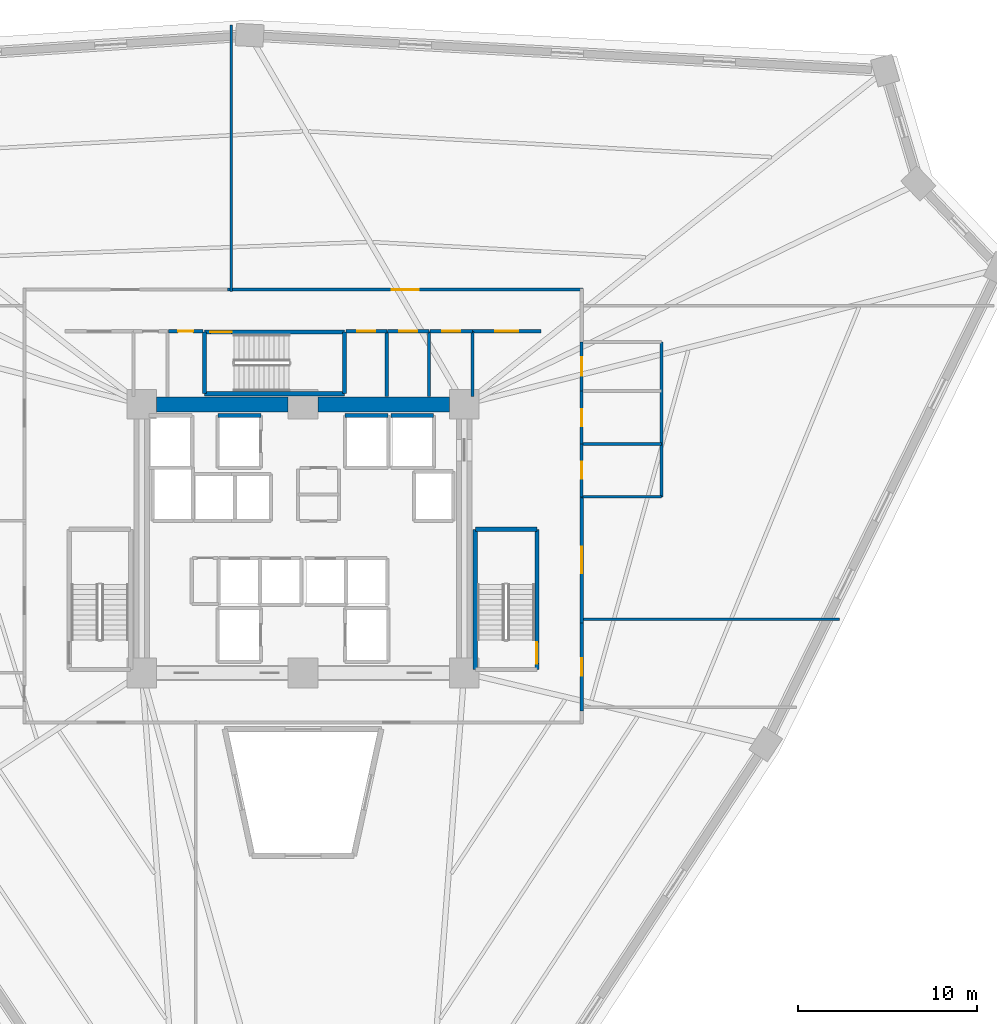
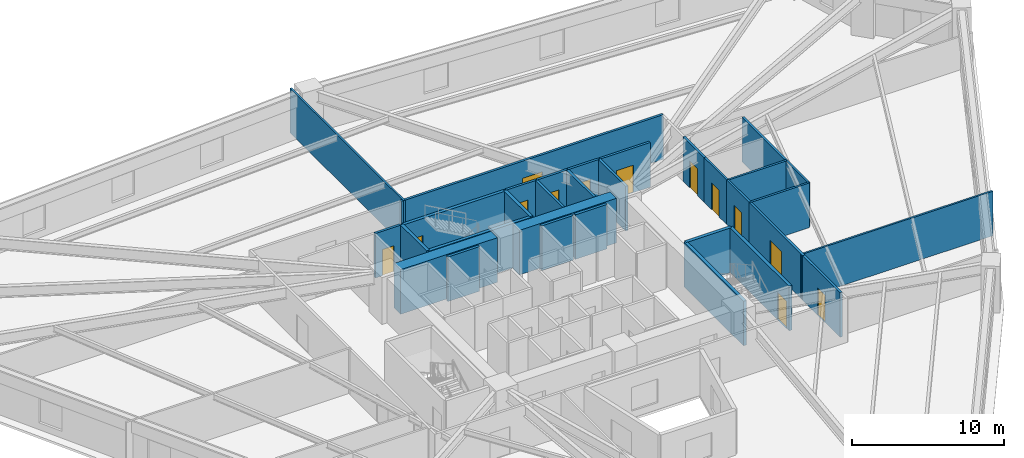
# One storey, part 6 of 8: 31 walls, 13 doors, 13 openings.
"""IFC4 building model written with IfcOpenShell, lengths in metres."""

from ifc_helpers import new_model, si_unit, direction, frame, frame_2d, origin, place, context, subcontext, project, spatial, rectangle, extrude, source, transform, mapped, material, layer, layer_set, type_object, element, fill, save


model = new_model("IFC4")

# Units and contexts
model_context = context("Model", 3, precision=1e-05, world=origin(), true_north=direction((0.0, 1.0)))
body_context = subcontext(model_context, "Body", "Model", "MODEL_VIEW")
ifc_project = project(units=[si_unit("LENGTHUNIT", "METRE"), si_unit("AREAUNIT", "SQUARE_METRE"), si_unit("VOLUMEUNIT", "CUBIC_METRE"), si_unit("PLANEANGLEUNIT", "RADIAN"), si_unit("MASSUNIT", "GRAM", prefix="KILO")], contexts=[model_context])

# Site, building, storey
site_placement = place(None, origin())
site = spatial("IfcSite", under=ifc_project, at=site_placement, CompositionType="ELEMENT")
building_placement = place(site_placement, origin())
building = spatial("IfcBuilding", under=site, at=building_placement, Name="Liaohun Quay Tower", CompositionType="ELEMENT")
storey_placement = place(building_placement, frame((0.0, 0.0, 39.75)))
storey = spatial("IfcBuildingStorey", under=building, at=storey_placement, Name="L10", CompositionType="ELEMENT", Elevation=39.75)

# Walls
ifc_material_1 = material(Name="Concrete C60", Category="concrete")
ifc_layer_1 = layer(ifc_material_1, 0.85009765625, Name="Concrete C60", Category="concrete")
ifc_layer_set_1 = layer_set([ifc_layer_1], Name="Concrete C60")
wall_type_1 = type_object("IfcWallType", Name="WAL-COR-Z1", PredefinedType="SHEAR", material=ifc_layer_set_1)
for number, where, z_axis, x_axis, name in (
    (1, (51.824951171875, 61.5, 0.0), (0.0, 0.0, 1.0), (1.0, 0.0, 0.0), "L10 Central Core Shear Wall N-W"),
    (2, (60.824951171875, 61.5, 0.0), (0.0, 0.0, 1.0), (1.0, 0.0, 0.0), "L10 Central Core Shear Wall N-E"),
):
    element("IfcWall", number, at=place(storey_placement, frame(where, z_axis=z_axis, x_axis=x_axis)), inside=storey, type_object=wall_type_1, Name=name, PredefinedType="SHEAR", context=body_context, shape_type="SweptSolid", body=[
        extrude(rectangle(XDim=7.35009765625, YDim=0.85009765625, at=frame_2d((3.675048828125, 0.0))), origin(), (0.0, 0.0, 1.0), 3.570068359375),
    ])

# Wall, opening, door
ifc_material_2 = material(Name="Autoclaved aerated concrete blockwork", Category="masonry")
ifc_layer_2 = layer(ifc_material_2, 0.179931640625, Name="Autoclaved aerated concrete blockwork", Category="masonry")
ifc_layer_set_2 = layer_set([ifc_layer_2], Name="Autoclaved aerated concrete blockwork")
wall_type_2 = type_object("IfcWallType", Name="WAL-PRT-COR", PredefinedType="PARTITIONING", material=ifc_layer_set_2)
wall_1_placement = place(storey_placement, frame((52.47998046875, 65.580078125, 0.0), z_axis=(0.0, 0.0, 1.0), x_axis=(1.0, 0.0, 0.0)))
wall_1 = element("IfcWall", 3, at=wall_1_placement, inside=storey, type_object=wall_type_2, Name="L10 Interior Partition Wall 008", PredefinedType="PARTITIONING", context=body_context, shape_type="SweptSolid", body=[
    extrude(rectangle(XDim=1.929931640625, YDim=0.179931640625, at=frame_2d((0.96484375, 0.0))), origin(), (0.0, 0.0, 1.0), 3.570068359375),
])
shared_shape_1 = source(origin(), body_context, "Body", "SweptSolid", [
    extrude(rectangle(XDim=0.85009765625, YDim=2.10009765625, at=frame_2d((0.425048828125, 1.050048828125))), frame((0.0, 0.099853515625, 0.0), z_axis=(0.0, -1.0, 0.0), x_axis=(1.0, 0.0, 0.0)), (0.0, 0.0, 1.0), 0.199951171875),
])
opening_1_placement = place(wall_1_placement, frame((0.5400390625, 0.0, 0.0)))
opening_1 = element("IfcOpeningElement", 4, at=opening_1_placement, cuts=wall_1, Name="Opening AD1", PredefinedType="OPENING", context=body_context, shape_type="MappedRepresentation", body=[
    mapped(shared_shape_1, transform((0.0, 0.0, 0.0), x_axis=(1.0, 0.0, 0.0), y_axis=(0.0, 1.0, 0.0), z_axis=(0.0, 0.0, 1.0), scale=1.0)),
])
ifc_material_3 = material(Name="Steel riser inspection fire door", Category="steel")
door_type_1 = type_object("IfcDoorType", Name="DOR-SHF-850", OperationType="NOTDEFINED", PredefinedType="DOOR", material=ifc_material_3)
shared_shape_2 = source(origin(), body_context, "Body", "SweptSolid", [
    extrude(rectangle(XDim=0.85009765625, YDim=2.10009765625, at=frame_2d((0.425048828125, 1.050048828125))), frame((0.0, 0.02490234375, 0.0), z_axis=(0.0, -1.0, 0.0), x_axis=(1.0, 0.0, 0.0)), (0.0, 0.0, 1.0), 0.050048828125),
])
door_1_placement = place(opening_1_placement, origin())
door_1 = element("IfcDoor", 5, at=door_1_placement, inside=storey, type_object=door_type_1, Name="L10 North-West Print Closet Door", OperationType="SINGLE_SWING_LEFT", OverallHeight=2.10009765625, OverallWidth=0.85009765625, PredefinedType="DOOR", context=body_context, shape_type="MappedRepresentation", body=[
    mapped(shared_shape_2, transform((0.0, 0.0, 0.0), x_axis=(1.0, 0.0, 0.0), y_axis=(0.0, 1.0, 0.0), z_axis=(0.0, 0.0, 1.0), scale=1.0)),
])
fill(opening_1, door_1)

wall_2_placement = place(storey_placement, frame((62.389892578125, 65.580078125, 0.0), z_axis=(0.0, 0.0, 1.0), x_axis=(1.0, 0.0, 0.0)))
wall_2 = element("IfcWall", 6, at=wall_2_placement, inside=storey, type_object=wall_type_2, Name="L10 Interior Partition Wall 009", PredefinedType="PARTITIONING", context=body_context, shape_type="SweptSolid", body=[
    extrude(rectangle(XDim=2.2900390625, YDim=0.179931640625, at=frame_2d((1.14501953125, 0.0))), origin(), (0.0, 0.0, 1.0), 3.570068359375),
])
shared_shape_3 = source(origin(), body_context, "Body", "SweptSolid", [
    extrude(rectangle(XDim=1.0, YDim=2.199951171875, at=frame_2d((0.5, 1.10009765625))), frame((0.0, 0.099853515625, 0.0), z_axis=(0.0, -1.0, 0.0), x_axis=(1.0, 0.0, 0.0)), (0.0, 0.0, 1.0), 0.199951171875),
])
opening_2_placement = place(wall_2_placement, frame((0.64501953125, 0.0, 0.0)))
opening_2 = element("IfcOpeningElement", 7, at=opening_2_placement, cuts=wall_2, Name="Opening OD1", PredefinedType="OPENING", context=body_context, shape_type="MappedRepresentation", body=[
    mapped(shared_shape_3, transform((0.0, 0.0, 0.0), x_axis=(1.0, 0.0, 0.0), y_axis=(0.0, 1.0, 0.0), z_axis=(0.0, 0.0, 1.0), scale=1.0)),
])
ifc_material_4 = material(Name="Solid-core oak veneer timber leaf in steel frame", Category="steel")
door_type_2 = type_object("IfcDoorType", Name="DOR-OFF-1000", OperationType="NOTDEFINED", PredefinedType="DOOR", material=ifc_material_4)
shared_shape_4 = source(origin(), body_context, "Body", "SweptSolid", [
    extrude(rectangle(XDim=1.0, YDim=2.199951171875, at=frame_2d((0.5, 1.10009765625))), frame((0.0, 0.02490234375, 0.0), z_axis=(0.0, -1.0, 0.0), x_axis=(1.0, 0.0, 0.0)), (0.0, 0.0, 1.0), 0.050048828125),
])
door_2_placement = place(opening_2_placement, origin())
door_2 = element("IfcDoor", 8, at=door_2_placement, inside=storey, type_object=door_type_2, Name="L10 North-East Mail Store Door", OperationType="SINGLE_SWING_RIGHT", OverallHeight=2.199951171875, OverallWidth=1.0, PredefinedType="DOOR", context=body_context, shape_type="MappedRepresentation", body=[
    mapped(shared_shape_4, transform((0.0, 0.0, 0.0), x_axis=(1.0, 0.0, 0.0), y_axis=(0.0, 1.0, 0.0), z_axis=(0.0, 0.0, 1.0), scale=1.0)),
])
fill(opening_2, door_2)

wall_3_placement = place(storey_placement, frame((64.719970703125, 65.580078125, 0.0), z_axis=(0.0, 0.0, 1.0), x_axis=(1.0, 0.0, 0.0)))
wall_3 = element("IfcWall", 9, at=wall_3_placement, inside=storey, type_object=wall_type_2, Name="L10 Interior Partition Wall 010", PredefinedType="PARTITIONING", context=body_context, shape_type="SweptSolid", body=[
    extrude(rectangle(XDim=2.320068359375, YDim=0.179931640625, at=frame_2d((1.16015625, 0.0))), origin(), (0.0, 0.0, 1.0), 3.570068359375),
])
opening_3_placement = place(wall_3_placement, frame((0.659912109375, 0.0, 0.0)))
opening_3 = element("IfcOpeningElement", 10, at=opening_3_placement, cuts=wall_3, Name="Opening OD1", PredefinedType="OPENING", context=body_context, shape_type="MappedRepresentation", body=[
    mapped(shared_shape_3, transform((0.0, 0.0, 0.0), x_axis=(1.0, 0.0, 0.0), y_axis=(0.0, 1.0, 0.0), z_axis=(0.0, 0.0, 1.0), scale=1.0)),
])
door_3_placement = place(opening_3_placement, origin())
door_3 = element("IfcDoor", 11, at=door_3_placement, inside=storey, type_object=door_type_2, Name="L10 North-East Comms Room Door", OperationType="SINGLE_SWING_LEFT", OverallHeight=2.199951171875, OverallWidth=1.0, PredefinedType="DOOR", context=body_context, shape_type="MappedRepresentation", body=[
    mapped(shared_shape_4, transform((0.0, 0.0, 0.0), x_axis=(1.0, 0.0, 0.0), y_axis=(0.0, 1.0, 0.0), z_axis=(0.0, 0.0, 1.0), scale=1.0)),
])
fill(opening_3, door_3)

wall_4_placement = place(storey_placement, frame((67.080078125, 65.580078125, 0.0), z_axis=(0.0, 0.0, 1.0), x_axis=(1.0, 0.0, 0.0)))
wall_4 = element("IfcWall", 12, at=wall_4_placement, inside=storey, type_object=wall_type_2, Name="L10 Interior Partition Wall 011", PredefinedType="PARTITIONING", context=body_context, shape_type="SweptSolid", body=[
    extrude(rectangle(XDim=2.3798828125, YDim=0.179931640625, at=frame_2d((1.18994140625, 0.0))), origin(), (0.0, 0.0, 1.0), 3.570068359375),
])
opening_4_placement = place(wall_4_placement, frame((0.68994140625, 0.0, 0.0)))
opening_4 = element("IfcOpeningElement", 13, at=opening_4_placement, cuts=wall_4, Name="Opening OD1", PredefinedType="OPENING", context=body_context, shape_type="MappedRepresentation", body=[
    mapped(shared_shape_3, transform((0.0, 0.0, 0.0), x_axis=(1.0, 0.0, 0.0), y_axis=(0.0, 1.0, 0.0), z_axis=(0.0, 0.0, 1.0), scale=1.0)),
])
door_4_placement = place(opening_4_placement, origin())
door_4 = element("IfcDoor", 14, at=door_4_placement, inside=storey, type_object=door_type_2, Name="L10 North-East Cleaner Store Door", OperationType="SINGLE_SWING_RIGHT", OverallHeight=2.199951171875, OverallWidth=1.0, PredefinedType="DOOR", context=body_context, shape_type="MappedRepresentation", body=[
    mapped(shared_shape_4, transform((0.0, 0.0, 0.0), x_axis=(1.0, 0.0, 0.0), y_axis=(0.0, 1.0, 0.0), z_axis=(0.0, 0.0, 1.0), scale=1.0)),
])
fill(opening_4, door_4)

wall_5_placement = place(storey_placement, frame((69.4599609375, 65.580078125, 0.0), z_axis=(0.0, 0.0, 1.0), x_axis=(1.0, 0.0, 0.0)))
wall_5 = element("IfcWall", 15, at=wall_5_placement, inside=storey, type_object=wall_type_2, Name="L10 Interior Partition Wall 013", PredefinedType="PARTITIONING", context=body_context, shape_type="SweptSolid", body=[
    extrude(rectangle(XDim=3.840087890625, YDim=0.179931640625, at=frame_2d((1.919921875, 0.0))), origin(), (0.0, 0.0, 1.0), 3.570068359375),
])
shared_shape_5 = source(origin(), body_context, "Body", "SweptSolid", [
    extrude(rectangle(XDim=1.300048828125, YDim=2.199951171875, at=frame_2d((0.64990234375, 1.10009765625))), frame((0.0, 0.099853515625, 0.0), z_axis=(0.0, -1.0, 0.0), x_axis=(1.0, 0.0, 0.0)), (0.0, 0.0, 1.0), 0.199951171875),
])
opening_5_placement = place(wall_5_placement, frame((1.27001953125, 0.0, 0.0)))
opening_5 = element("IfcOpeningElement", 16, at=opening_5_placement, cuts=wall_5, Name="Opening FD1", PredefinedType="OPENING", context=body_context, shape_type="MappedRepresentation", body=[
    mapped(shared_shape_5, transform((0.0, 0.0, 0.0), x_axis=(1.0, 0.0, 0.0), y_axis=(0.0, 1.0, 0.0), z_axis=(0.0, 0.0, 1.0), scale=1.0)),
])
ifc_material_5 = material(Name="Galvanised steel smokeproof fire door", Category="steel")
door_type_3 = type_object("IfcDoorType", Name="DOR-FFL-1300", OperationType="NOTDEFINED", PredefinedType="DOOR", material=ifc_material_5)
shared_shape_6 = source(origin(), body_context, "Body", "SweptSolid", [
    extrude(rectangle(XDim=1.300048828125, YDim=2.199951171875, at=frame_2d((0.64990234375, 1.10009765625))), frame((0.0, 0.02490234375, 0.0), z_axis=(0.0, -1.0, 0.0), x_axis=(1.0, 0.0, 0.0)), (0.0, 0.0, 1.0), 0.050048828125),
])
door_5_placement = place(opening_5_placement, origin())
door_5 = element("IfcDoor", 17, at=door_5_placement, inside=storey, type_object=door_type_3, Name="L10 East Core Vestibule Door", OperationType="SINGLE_SWING_RIGHT", OverallHeight=2.199951171875, OverallWidth=1.300048828125, PredefinedType="DOOR", context=body_context, shape_type="MappedRepresentation", body=[
    mapped(shared_shape_6, transform((0.0, 0.0, 0.0), x_axis=(1.0, 0.0, 0.0), y_axis=(0.0, 1.0, 0.0), z_axis=(0.0, 0.0, 1.0), scale=1.0)),
])
fill(opening_5, door_5)

wall_6_placement = place(storey_placement, frame((75.56005859375, 56.340087890625, 0.0), z_axis=(0.0, 0.0, 1.0), x_axis=(0.0, -1.0, 0.0)))
wall_6 = element("IfcWall", 18, at=wall_6_placement, inside=storey, type_object=wall_type_2, Name="L10 Interior Partition Wall 014", PredefinedType="PARTITIONING", context=body_context, shape_type="SweptSolid", body=[
    extrude(rectangle(XDim=7.05517578125, YDim=0.179931640625, at=frame_2d((3.527587890625, 0.0))), origin(), (0.0, 0.0, 1.0), 3.570068359375),
])
shared_shape_7 = source(origin(), body_context, "Body", "SweptSolid", [
    extrude(rectangle(XDim=1.5, YDim=2.199951171875, at=frame_2d((0.75, 1.10009765625))), frame((0.0, 0.099853515625, 0.0), z_axis=(0.0, -1.0, 0.0), x_axis=(1.0, 0.0, 0.0)), (0.0, 0.0, 1.0), 0.199951171875),
])
opening_6_placement = place(wall_6_placement, frame((2.778076171875, 0.0, 0.0)))
opening_6 = element("IfcOpeningElement", 19, at=opening_6_placement, cuts=wall_6, Name="Opening OD2", PredefinedType="OPENING", context=body_context, shape_type="MappedRepresentation", body=[
    mapped(shared_shape_7, transform((0.0, 0.0, 0.0), x_axis=(1.0, 0.0, 0.0), y_axis=(0.0, 1.0, 0.0), z_axis=(0.0, 0.0, 1.0), scale=1.0)),
])
ifc_material_6 = material(Name="Acoustic oak veneer double door")
door_type_4 = type_object("IfcDoorType", Name="DOR-OFF-1500", OperationType="DOUBLE_DOOR_SINGLE_SWING", PredefinedType="DOOR", material=ifc_material_6)
shared_shape_8 = source(origin(), body_context, "Body", "SweptSolid", [
    extrude(rectangle(XDim=1.5, YDim=2.199951171875, at=frame_2d((0.75, 1.10009765625))), frame((0.0, 0.02490234375, 0.0), z_axis=(0.0, -1.0, 0.0), x_axis=(1.0, 0.0, 0.0)), (0.0, 0.0, 1.0), 0.050048828125),
])
door_6_placement = place(opening_6_placement, origin())
door_6 = element("IfcDoor", 20, at=door_6_placement, inside=storey, type_object=door_type_4, Name="L10 Architectural Design Studio 01 Door", OperationType="DOUBLE_DOOR_SINGLE_SWING", OverallHeight=2.199951171875, OverallWidth=1.5, PredefinedType="DOOR", context=body_context, shape_type="MappedRepresentation", body=[
    mapped(shared_shape_8, transform((0.0, 0.0, 0.0), x_axis=(1.0, 0.0, 0.0), y_axis=(0.0, 1.0, 0.0), z_axis=(0.0, 0.0, 1.0), scale=1.0)),
])
fill(opening_6, door_6)

wall_7_placement = place(storey_placement, frame((55.784912109375, 67.909912109375, 0.0), z_axis=(0.0, 0.0, 1.0), x_axis=(1.0, 0.0, 0.0)))
wall_7 = element("IfcWall", 21, at=wall_7_placement, inside=storey, type_object=wall_type_2, Name="L10 Interior Partition Wall 015", PredefinedType="PARTITIONING", context=body_context, shape_type="SweptSolid", body=[
    extrude(rectangle(XDim=19.844970703125, YDim=0.179931640625, at=frame_2d((9.92236328125, 0.0))), origin(), (0.0, 0.0, 1.0), 3.570068359375),
])
opening_7_placement = place(wall_7_placement, frame((9.172119140625, 0.0, 0.0)))
opening_7 = element("IfcOpeningElement", 22, at=opening_7_placement, cuts=wall_7, Name="Opening OD2", PredefinedType="OPENING", context=body_context, shape_type="MappedRepresentation", body=[
    mapped(shared_shape_7, transform((0.0, 0.0, 0.0), x_axis=(1.0, 0.0, 0.0), y_axis=(0.0, 1.0, 0.0), z_axis=(0.0, 0.0, 1.0), scale=1.0)),
])
door_7_placement = place(opening_7_placement, origin())
door_7 = element("IfcDoor", 23, at=door_7_placement, inside=storey, type_object=door_type_4, Name="L10 Staff Daycare Nursery 02 Door", OperationType="DOUBLE_DOOR_SINGLE_SWING", OverallHeight=2.199951171875, OverallWidth=1.5, PredefinedType="DOOR", context=body_context, shape_type="MappedRepresentation", body=[
    mapped(shared_shape_8, transform((0.0, 0.0, 0.0), x_axis=(1.0, 0.0, 0.0), y_axis=(0.0, 1.0, 0.0), z_axis=(0.0, 0.0, 1.0), scale=1.0)),
])
fill(opening_7, door_7)

wall_8_placement = place(storey_placement, frame((75.56005859375, 49.284912109375, 0.0), z_axis=(0.0, 0.0, 1.0), x_axis=(0.0, -1.0, 0.0)))
wall_8 = element("IfcWall", 24, at=wall_8_placement, inside=storey, type_object=wall_type_2, Name="L10 Interior Partition Wall 022", PredefinedType="PARTITIONING", context=body_context, shape_type="SweptSolid", body=[
    extrude(rectangle(XDim=4.89990234375, YDim=0.179931640625, at=frame_2d((2.449951171875, 0.0))), origin(), (0.0, 0.0, 1.0), 3.570068359375),
])
opening_8_placement = place(wall_8_placement, frame((1.949951171875, 0.0, 0.0)))
opening_8 = element("IfcOpeningElement", 25, at=opening_8_placement, cuts=wall_8, Name="Opening OD1", PredefinedType="OPENING", context=body_context, shape_type="MappedRepresentation", body=[
    mapped(shared_shape_3, transform((0.0, 0.0, 0.0), x_axis=(1.0, 0.0, 0.0), y_axis=(0.0, 1.0, 0.0), z_axis=(0.0, 0.0, 1.0), scale=1.0)),
])
door_8_placement = place(opening_8_placement, origin())
door_8 = element("IfcDoor", 26, at=door_8_placement, inside=storey, type_object=door_type_2, Name="L10 Records Archive Store 09 Door", OperationType="SINGLE_SWING_LEFT", OverallHeight=2.199951171875, OverallWidth=1.0, PredefinedType="DOOR", context=body_context, shape_type="MappedRepresentation", body=[
    mapped(shared_shape_4, transform((0.0, 0.0, 0.0), x_axis=(1.0, 0.0, 0.0), y_axis=(0.0, 1.0, 0.0), z_axis=(0.0, 0.0, 1.0), scale=1.0)),
])
fill(opening_8, door_8)

# Walls
for number, where, z_axis, x_axis, name in (
    (27, (64.679931640625, 61.949951171875, 0.0), (0.0, 0.0, 1.0), (0.0, 1.0, 0.0), "L10 Interior Partition Wall 035"),
    (28, (67.0400390625, 61.949951171875, 0.0), (0.0, 0.0, 1.0), (0.0, 1.0, 0.0), "L10 Interior Partition Wall 036"),
    (29, (69.4599609375, 61.949951171875, 0.0), (0.0, 0.0, 1.0), (0.0, 1.0, 0.0), "L10 Interior Partition Wall 037"),
):
    element("IfcWall", number, at=place(storey_placement, frame(where, z_axis=z_axis, x_axis=x_axis)), inside=storey, type_object=wall_type_2, Name=name, PredefinedType="PARTITIONING", context=body_context, shape_type="SweptSolid", body=[
        extrude(rectangle(XDim=3.630126953125, YDim=0.179931640625, at=frame_2d((1.81494140625, 0.0))), origin(), (0.0, 0.0, 1.0), 3.570068359375),
    ])
ifc_material_7 = material(Name="Gypsum board on twin steel studs", Category="steel")
ifc_layer_3 = layer(ifc_material_7, 0.139892578125, Name="Gypsum board on twin steel studs", Category="steel")
ifc_layer_set_3 = layer_set([ifc_layer_3], Name="Gypsum board on twin steel studs")
wall_type_3 = type_object("IfcWallType", Name="WAL-PRT-OFF", PredefinedType="PARTITIONING", material=ifc_layer_set_3)
wall_9_placement = place(storey_placement, frame((75.4599609375, 49.5, 0.0), z_axis=(0.0, 0.0, 1.0), x_axis=(1.0, 0.0, 0.0)))
element("IfcWall", 30, at=wall_9_placement, inside=storey, type_object=wall_type_3, Name="L10 Interior Partition Wall 048", PredefinedType="PARTITIONING", context=body_context, shape_type="SweptSolid", body=[
    extrude(rectangle(XDim=14.508056640625, YDim=0.139892578125, at=frame_2d((7.25390625, 0.0))), origin(), (0.0, 0.0, 1.0), 3.570068359375),
])
wall_10_placement = place(storey_placement, frame((56.0, 67.81005859375, 0.0), z_axis=(0.0, 0.0, 1.0), x_axis=(0.0, 1.0, 0.0)))
element("IfcWall", 31, at=wall_10_placement, inside=storey, type_object=wall_type_3, Name="L10 Interior Partition Wall 050", PredefinedType="PARTITIONING", context=body_context, shape_type="SweptSolid", body=[
    extrude(rectangle(XDim=14.864990234375, YDim=0.139892578125, at=frame_2d((7.4326171875, 0.0))), origin(), (0.0, 0.0, 1.0), 3.570068359375),
])

# Wall, opening, door
ifc_material_8 = material(Name="Moisture-resistant masonry blockwork", Category="masonry")
ifc_layer_4 = layer(ifc_material_8, 0.159912109375, Name="Moisture-resistant masonry blockwork", Category="masonry")
ifc_layer_set_4 = layer_set([ifc_layer_4], Name="Moisture-resistant masonry blockwork")
wall_type_4 = type_object("IfcWallType", Name="WAL-PRT-WET", PredefinedType="PARTITIONING", material=ifc_layer_set_4)
wall_11_placement = place(storey_placement, frame((75.56005859375, 56.340087890625, 0.0), z_axis=(0.0, 0.0, 1.0), x_axis=(0.0, 1.0, 0.0)))
wall_11 = element("IfcWall", 32, at=wall_11_placement, inside=storey, type_object=wall_type_4, Name="L10 Interior Partition Wall 004", PredefinedType="PARTITIONING", context=body_context, shape_type="SweptSolid", body=[
    extrude(rectangle(XDim=2.93994140625, YDim=0.159912109375, at=frame_2d((1.469970703125, 0.0))), origin(), (0.0, 0.0, 1.0), 3.570068359375),
])
shared_shape_9 = source(origin(), body_context, "Body", "SweptSolid", [
    extrude(rectangle(XDim=0.949951171875, YDim=2.14990234375, at=frame_2d((0.47509765625, 1.074951171875))), frame((0.0, 0.08984375, 0.0), z_axis=(0.0, -1.0, 0.0), x_axis=(1.0, 0.0, 0.0)), (0.0, 0.0, 1.0), 0.179931640625),
])
opening_9_placement = place(wall_11_placement, frame((0.9951171875, 0.0, 0.0)))
opening_9 = element("IfcOpeningElement", 33, at=opening_9_placement, cuts=wall_11, Name="Opening WD1", PredefinedType="OPENING", context=body_context, shape_type="MappedRepresentation", body=[
    mapped(shared_shape_9, transform((0.0, 0.0, 0.0), x_axis=(1.0, 0.0, 0.0), y_axis=(0.0, 1.0, 0.0), z_axis=(0.0, 0.0, 1.0), scale=1.0)),
])
ifc_material_9 = material(Name="Moisture-resistant laminate timber leaf", Category="wood")
door_type_5 = type_object("IfcDoorType", Name="DOR-WC-950", OperationType="NOTDEFINED", PredefinedType="DOOR", material=ifc_material_9)
shared_shape_10 = source(origin(), body_context, "Body", "SweptSolid", [
    extrude(rectangle(XDim=0.949951171875, YDim=2.14990234375, at=frame_2d((0.47509765625, 1.074951171875))), frame((0.0, 0.02490234375, 0.0), z_axis=(0.0, -1.0, 0.0), x_axis=(1.0, 0.0, 0.0)), (0.0, 0.0, 1.0), 0.050048828125),
])
door_9_placement = place(opening_9_placement, origin())
door_9 = element("IfcDoor", 34, at=door_9_placement, inside=storey, type_object=door_type_5, Name="L10 Male Restroom WC Door", OperationType="SINGLE_SWING_LEFT", OverallHeight=2.14990234375, OverallWidth=0.949951171875, PredefinedType="DOOR", context=body_context, shape_type="MappedRepresentation", body=[
    mapped(shared_shape_10, transform((0.0, 0.0, 0.0), x_axis=(1.0, 0.0, 0.0), y_axis=(0.0, 1.0, 0.0), z_axis=(0.0, 0.0, 1.0), scale=1.0)),
])
fill(opening_9, door_9)

wall_12_placement = place(storey_placement, frame((75.56005859375, 59.280029296875, 0.0), z_axis=(0.0, 0.0, 1.0), x_axis=(0.0, 1.0, 0.0)))
wall_12 = element("IfcWall", 35, at=wall_12_placement, inside=storey, type_object=wall_type_4, Name="L10 Interior Partition Wall 005", PredefinedType="PARTITIONING", context=body_context, shape_type="SweptSolid", body=[
    extrude(rectangle(XDim=2.9599609375, YDim=0.159912109375, at=frame_2d((1.47998046875, 0.0))), origin(), (0.0, 0.0, 1.0), 3.570068359375),
])
opening_10_placement = place(wall_12_placement, frame((1.0048828125, 0.0, 0.0)))
opening_10 = element("IfcOpeningElement", 36, at=opening_10_placement, cuts=wall_12, Name="Opening WD1", PredefinedType="OPENING", context=body_context, shape_type="MappedRepresentation", body=[
    mapped(shared_shape_9, transform((0.0, 0.0, 0.0), x_axis=(1.0, 0.0, 0.0), y_axis=(0.0, 1.0, 0.0), z_axis=(0.0, 0.0, 1.0), scale=1.0)),
])
door_10_placement = place(opening_10_placement, origin())
door_10 = element("IfcDoor", 37, at=door_10_placement, inside=storey, type_object=door_type_5, Name="L10 Female Restroom WC Door", OperationType="SINGLE_SWING_RIGHT", OverallHeight=2.14990234375, OverallWidth=0.949951171875, PredefinedType="DOOR", context=body_context, shape_type="MappedRepresentation", body=[
    mapped(shared_shape_10, transform((0.0, 0.0, 0.0), x_axis=(1.0, 0.0, 0.0), y_axis=(0.0, 1.0, 0.0), z_axis=(0.0, 0.0, 1.0), scale=1.0)),
])
fill(opening_10, door_10)

wall_13_placement = place(storey_placement, frame((75.56005859375, 62.239990234375, 0.0), z_axis=(0.0, 0.0, 1.0), x_axis=(0.0, 1.0, 0.0)))
wall_13 = element("IfcWall", 38, at=wall_13_placement, inside=storey, type_object=wall_type_4, Name="L10 Interior Partition Wall 006", PredefinedType="PARTITIONING", context=body_context, shape_type="SweptSolid", body=[
    extrude(rectangle(XDim=2.739990234375, YDim=0.159912109375, at=frame_2d((1.3701171875, 0.0))), origin(), (0.0, 0.0, 1.0), 3.570068359375),
])
shared_shape_11 = source(origin(), body_context, "Body", "SweptSolid", [
    extrude(rectangle(XDim=1.050048828125, YDim=2.14990234375, at=frame_2d((0.52490234375, 1.074951171875))), frame((0.0, 0.08984375, 0.0), z_axis=(0.0, -1.0, 0.0), x_axis=(1.0, 0.0, 0.0)), (0.0, 0.0, 1.0), 0.179931640625),
])
opening_11_placement = place(wall_13_placement, frame((0.844970703125, 0.0, 0.0)))
opening_11 = element("IfcOpeningElement", 39, at=opening_11_placement, cuts=wall_13, Name="Opening WD2", PredefinedType="OPENING", context=body_context, shape_type="MappedRepresentation", body=[
    mapped(shared_shape_11, transform((0.0, 0.0, 0.0), x_axis=(1.0, 0.0, 0.0), y_axis=(0.0, 1.0, 0.0), z_axis=(0.0, 0.0, 1.0), scale=1.0)),
])
ifc_material_10 = material(Name="Accessible outward-swinging laminate door")
door_type_6 = type_object("IfcDoorType", Name="DOR-AWC-1050", OperationType="NOTDEFINED", PredefinedType="DOOR", material=ifc_material_10)
shared_shape_12 = source(origin(), body_context, "Body", "SweptSolid", [
    extrude(rectangle(XDim=1.050048828125, YDim=2.14990234375, at=frame_2d((0.52490234375, 1.074951171875))), frame((0.0, 0.02490234375, 0.0), z_axis=(0.0, -1.0, 0.0), x_axis=(1.0, 0.0, 0.0)), (0.0, 0.0, 1.0), 0.050048828125),
])
door_11_placement = place(opening_11_placement, origin())
door_11 = element("IfcDoor", 40, at=door_11_placement, inside=storey, type_object=door_type_6, Name="L10 Accessible WC Door", OperationType="SINGLE_SWING_LEFT", OverallHeight=2.14990234375, OverallWidth=1.050048828125, PredefinedType="DOOR", context=body_context, shape_type="MappedRepresentation", body=[
    mapped(shared_shape_12, transform((0.0, 0.0, 0.0), x_axis=(1.0, 0.0, 0.0), y_axis=(0.0, 1.0, 0.0), z_axis=(0.0, 0.0, 1.0), scale=1.0)),
])
fill(opening_11, door_11)

# Walls
wall_14_placement = place(storey_placement, frame((80.02001953125, 56.340087890625, 0.0), z_axis=(0.0, 0.0, 1.0), x_axis=(0.0, 1.0, 0.0)))
element("IfcWall", 41, at=wall_14_placement, inside=storey, type_object=wall_type_4, Name="L10 Interior Partition Wall 028", PredefinedType="PARTITIONING", context=body_context, shape_type="SweptSolid", body=[
    extrude(rectangle(XDim=8.639892578125, YDim=0.159912109375, at=frame_2d((4.31982421875, 0.0))), origin(), (0.0, 0.0, 1.0), 3.570068359375),
])
for number, where, z_axis, x_axis, name in (
    (42, (75.56005859375, 56.340087890625, 0.0), (0.0, 0.0, 1.0), (1.0, 0.0, 0.0), "L10 Interior Partition Wall 029"),
    (43, (75.56005859375, 59.280029296875, 0.0), (0.0, 0.0, 1.0), (1.0, 0.0, 0.0), "L10 Interior Partition Wall 030"),
):
    element("IfcWall", number, at=place(storey_placement, frame(where, z_axis=z_axis, x_axis=x_axis)), inside=storey, type_object=wall_type_4, Name=name, PredefinedType="PARTITIONING", context=body_context, shape_type="SweptSolid", body=[
        extrude(rectangle(XDim=4.4599609375, YDim=0.159912109375, at=frame_2d((2.22998046875, 0.0))), origin(), (0.0, 0.0, 1.0), 3.570068359375),
    ])

# Wall, opening, door
ifc_material_11 = material(Name="Concrete C50", Category="concrete")
ifc_layer_5 = layer(ifc_material_11, 0.239990234375, Name="Concrete C50", Category="concrete")
ifc_layer_set_5 = layer_set([ifc_layer_5], Name="Concrete C50")
wall_type_5 = type_object("IfcWallType", Name="WAL-SHF-200", PredefinedType="SOLIDWALL", material=ifc_layer_set_5)
wall_15_placement = place(storey_placement, frame((73.06005859375, 46.699951171875, 0.0), z_axis=(0.0, 0.0, 1.0), x_axis=(0.0, 1.0, 0.0)))
wall_15 = element("IfcWall", 44, at=wall_15_placement, inside=storey, type_object=wall_type_5, Name="L10 Stairwell ST-2 Structural Core Wall E", PredefinedType="SOLIDWALL", context=body_context, shape_type="SweptSolid", body=[
    extrude(rectangle(XDim=7.820068359375, YDim=0.239990234375, at=frame_2d((3.91015625, 0.0))), origin(), (0.0, 0.0, 1.0), 3.570068359375),
])
shared_shape_13 = source(origin(), body_context, "Body", "SweptSolid", [
    extrude(rectangle(XDim=1.199951171875, YDim=2.199951171875, at=frame_2d((0.60009765625, 1.10009765625))), frame((0.0, 0.1298828125, 0.0), z_axis=(0.0, -1.0, 0.0), x_axis=(1.0, 0.0, 0.0)), (0.0, 0.0, 1.0), 0.260009765625),
])
opening_12_placement = place(wall_15_placement, frame((0.320068359375, 0.0, 0.0)))
opening_12 = element("IfcOpeningElement", 45, at=opening_12_placement, cuts=wall_15, Name="Opening SD1", PredefinedType="OPENING", context=body_context, shape_type="MappedRepresentation", body=[
    mapped(shared_shape_13, transform((0.0, 0.0, 0.0), x_axis=(1.0, 0.0, 0.0), y_axis=(0.0, 1.0, 0.0), z_axis=(0.0, 0.0, 1.0), scale=1.0)),
])
ifc_material_12 = material(Name="Galvanised steel fire door", Category="steel")
door_type_7 = type_object("IfcDoorType", Name="DOR-STR-1200", OperationType="NOTDEFINED", PredefinedType="DOOR", material=ifc_material_12)
shared_shape_14 = source(origin(), body_context, "Body", "SweptSolid", [
    extrude(rectangle(XDim=1.199951171875, YDim=2.199951171875, at=frame_2d((0.60009765625, 1.10009765625))), frame((0.0, 0.02490234375, 0.0), z_axis=(0.0, -1.0, 0.0), x_axis=(1.0, 0.0, 0.0)), (0.0, 0.0, 1.0), 0.050048828125),
])
door_12_placement = place(opening_12_placement, origin())
door_12 = element("IfcDoor", 46, at=door_12_placement, inside=storey, type_object=door_type_7, Name="L10 Protected Stair ST-2 Fire Door", OperationType="SINGLE_SWING_RIGHT", OverallHeight=2.199951171875, OverallWidth=1.199951171875, PredefinedType="DOOR", context=body_context, shape_type="MappedRepresentation", body=[
    mapped(shared_shape_14, transform((0.0, 0.0, 0.0), x_axis=(1.0, 0.0, 0.0), y_axis=(0.0, 1.0, 0.0), z_axis=(0.0, 0.0, 1.0), scale=1.0)),
])
fill(opening_12, door_12)

# Walls
wall_16_placement = place(storey_placement, frame((73.06005859375, 54.52001953125, 0.0), z_axis=(0.0, 0.0, 1.0), x_axis=(-1.0, 0.0, 0.0)))
element("IfcWall", 47, at=wall_16_placement, inside=storey, type_object=wall_type_5, Name="L10 Stairwell ST-2 Structural Core Wall N", PredefinedType="SOLIDWALL", context=body_context, shape_type="SweptSolid", body=[
    extrude(rectangle(XDim=3.43994140625, YDim=0.239990234375, at=frame_2d((1.719970703125, 0.0))), origin(), (0.0, 0.0, 1.0), 3.570068359375),
])
for number, where, z_axis, x_axis, name in (
    (48, (69.6201171875, 54.52001953125, 0.0), (0.0, 0.0, 1.0), (0.0, -1.0, 0.0), "L10 Stairwell ST-2 Structural Core Wall W"),
    (49, (54.5, 62.10009765625, 0.0), (0.0, 0.0, 1.0), (1.0, 0.0, 0.0), "L10 Stairwell ST-3 Structural Core Wall S"),
):
    element("IfcWall", number, at=place(storey_placement, frame(where, z_axis=z_axis, x_axis=x_axis)), inside=storey, type_object=wall_type_5, Name=name, PredefinedType="SOLIDWALL", context=body_context, shape_type="SweptSolid", body=[
        extrude(rectangle(XDim=7.820068359375, YDim=0.239990234375, at=frame_2d((3.91015625, 0.0))), origin(), (0.0, 0.0, 1.0), 3.570068359375),
    ])
wall_17_placement = place(storey_placement, frame((62.320068359375, 62.10009765625, 0.0), z_axis=(0.0, 0.0, 1.0), x_axis=(0.0, 1.0, 0.0)))
element("IfcWall", 50, at=wall_17_placement, inside=storey, type_object=wall_type_5, Name="L10 Stairwell ST-3 Structural Core Wall E", PredefinedType="SOLIDWALL", context=body_context, shape_type="SweptSolid", body=[
    extrude(rectangle(XDim=3.43994140625, YDim=0.239990234375, at=frame_2d((1.719970703125, 0.0))), origin(), (0.0, 0.0, 1.0), 3.570068359375),
])

# Wall, opening, door
wall_18_placement = place(storey_placement, frame((62.320068359375, 65.5400390625, 0.0), z_axis=(0.0, 0.0, 1.0), x_axis=(-1.0, 0.0, 0.0)))
wall_18 = element("IfcWall", 51, at=wall_18_placement, inside=storey, type_object=wall_type_5, Name="L10 Stairwell ST-3 Structural Core Wall N", PredefinedType="SOLIDWALL", context=body_context, shape_type="SweptSolid", body=[
    extrude(rectangle(XDim=7.820068359375, YDim=0.239990234375, at=frame_2d((3.91015625, 0.0))), origin(), (0.0, 0.0, 1.0), 3.570068359375),
])
opening_13_placement = place(wall_18_placement, frame((6.300048828125, 0.0, 0.0)))
opening_13 = element("IfcOpeningElement", 52, at=opening_13_placement, cuts=wall_18, Name="Opening SD1", PredefinedType="OPENING", context=body_context, shape_type="MappedRepresentation", body=[
    mapped(shared_shape_13, transform((0.0, 0.0, 0.0), x_axis=(1.0, 0.0, 0.0), y_axis=(0.0, 1.0, 0.0), z_axis=(0.0, 0.0, 1.0), scale=1.0)),
])
door_13_placement = place(opening_13_placement, origin())
door_13 = element("IfcDoor", 53, at=door_13_placement, inside=storey, type_object=door_type_7, Name="L10 Protected Stair ST-3 Fire Door", OperationType="SINGLE_SWING_RIGHT", OverallHeight=2.199951171875, OverallWidth=1.199951171875, PredefinedType="DOOR", context=body_context, shape_type="MappedRepresentation", body=[
    mapped(shared_shape_14, transform((0.0, 0.0, 0.0), x_axis=(1.0, 0.0, 0.0), y_axis=(0.0, 1.0, 0.0), z_axis=(0.0, 0.0, 1.0), scale=1.0)),
])
fill(opening_13, door_13)

# Walls
wall_19_placement = place(storey_placement, frame((54.5, 65.5400390625, 0.0), z_axis=(0.0, 0.0, 1.0), x_axis=(0.0, -1.0, 0.0)))
element("IfcWall", 54, at=wall_19_placement, inside=storey, type_object=wall_type_5, Name="L10 Stairwell ST-3 Structural Core Wall W", PredefinedType="SOLIDWALL", context=body_context, shape_type="SweptSolid", body=[
    extrude(rectangle(XDim=3.43994140625, YDim=0.239990234375, at=frame_2d((1.719970703125, 0.0))), origin(), (0.0, 0.0, 1.0), 3.570068359375),
])
for number, where, z_axis, x_axis, name in (
    (55, (57.64990234375, 60.8798828125, 0.0), (0.0, 0.0, 1.0), (-1.0, 0.0, 0.0), "L10 Lift FF-03 Hoistway Wall N"),
    (56, (64.75, 60.8798828125, 0.0), (0.0, 0.0, 1.0), (-1.0, 0.0, 0.0), "L10 Lift OB-01 Hoistway Wall N"),
):
    element("IfcWall", number, at=place(storey_placement, frame(where, z_axis=z_axis, x_axis=x_axis)), inside=storey, type_object=wall_type_5, Name=name, PredefinedType="SOLIDWALL", context=body_context, shape_type="SweptSolid", body=[
        extrude(rectangle(XDim=2.39990234375, YDim=0.199951171875, at=frame_2d((1.199951171875, 0.0))), origin(), (0.0, 0.0, 1.0), 3.570068359375),
    ])
wall_20_placement = place(storey_placement, frame((67.300048828125, 60.8798828125, 0.0), z_axis=(0.0, 0.0, 1.0), x_axis=(-1.0, 0.0, 0.0)))
element("IfcWall", 57, at=wall_20_placement, inside=storey, type_object=wall_type_5, Name="L10 Lift OB-02 Hoistway Wall N", PredefinedType="SOLIDWALL", context=body_context, shape_type="SweptSolid", body=[
    extrude(rectangle(XDim=2.400146484375, YDim=0.199951171875, at=frame_2d((1.2001953125, 0.0))), origin(), (0.0, 0.0, 1.0), 3.570068359375),
])

save(model, "model.ifc")
